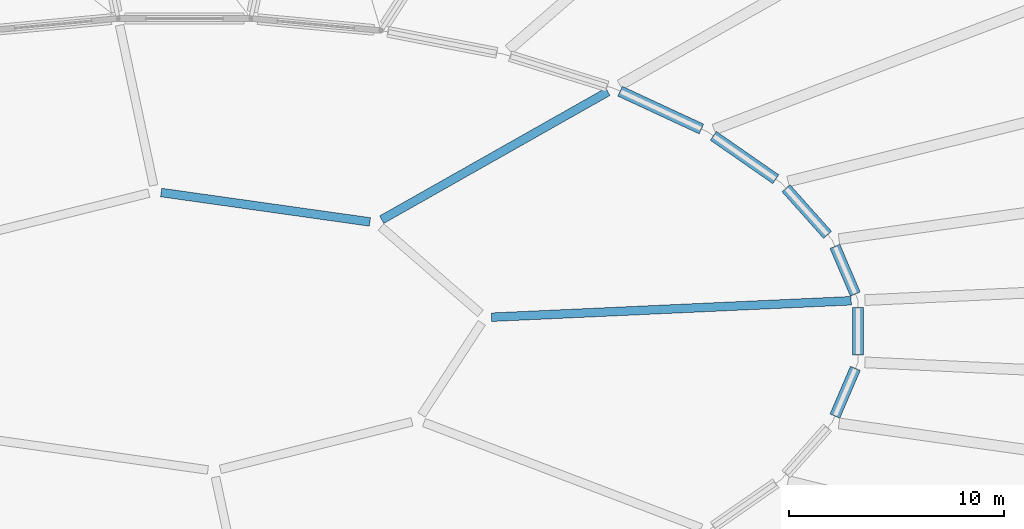
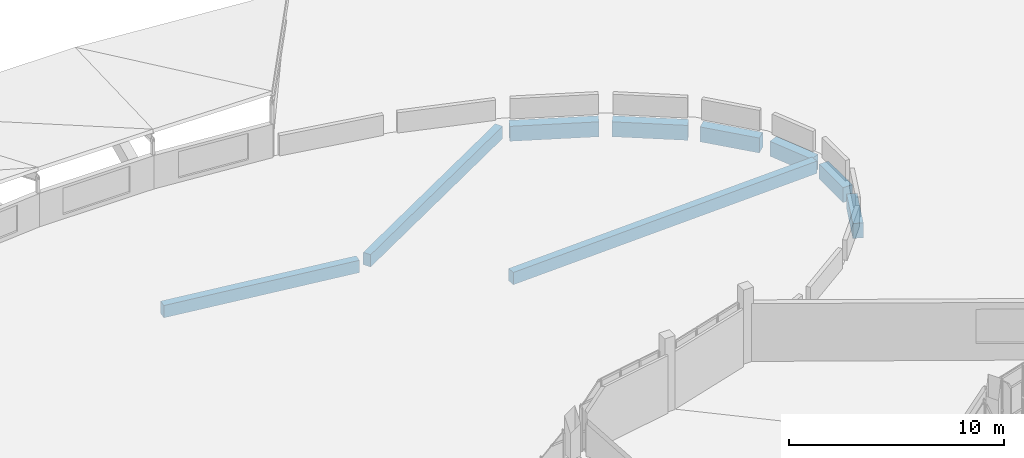
# One storey, part 46 of 142: 9 beams.
"""IFC4 building model written with IfcOpenShell, lengths in metres."""

from ifc_helpers import new_model, si_unit, direction, frame, origin, origin_2d, place, context, subcontext, project, spatial, rectangle, extrude, material, material_profile, profile_set, type_object, element, save


model = new_model("IFC4")

# Units and contexts
model_context = context("Model", 3, precision=1e-05, world=origin(), true_north=direction((0.0, 1.0)))
body_context = subcontext(model_context, "Body", "Model", "MODEL_VIEW")
ifc_project = project(units=[si_unit("LENGTHUNIT", "METRE"), si_unit("AREAUNIT", "SQUARE_METRE"), si_unit("VOLUMEUNIT", "CUBIC_METRE"), si_unit("PLANEANGLEUNIT", "RADIAN"), si_unit("MASSUNIT", "GRAM", prefix="KILO")], contexts=[model_context])

# Site, building, storey
site_placement = place(None, origin())
site = spatial("IfcSite", under=ifc_project, at=site_placement, CompositionType="ELEMENT")
building_placement = place(site_placement, origin())
building = spatial("IfcBuilding", under=site, at=building_placement, Name="Corvandel Quay Wholesale Market", CompositionType="ELEMENT")
storey_placement = place(building_placement, frame((0.0, 0.0, 10.800048828125)))
storey = spatial("IfcBuildingStorey", under=building, at=storey_placement, Name="L02", CompositionType="ELEMENT", Elevation=10.800048828125)

# Beams
ifc_material = material(Name="Precast concrete C45/55", Category="concrete")
ifc_material_profile_1 = material_profile(ifc_material, rectangle(XDim=0.5, YDim=0.85009765625, at=origin_2d()), Name="PC-GIR-500x850")
ifc_profile_set_1 = profile_set([ifc_material_profile_1], Name="Precast concrete C45/55")
beam_type_1 = type_object("IfcBeamType", Name="Fish Hall Radial Girder G04 500x850", PredefinedType="USERDEFINED", material=ifc_profile_set_1)
beam_1_placement = place(storey_placement, frame((145.23388671875, 117.72802734375, -0.7451171875), z_axis=(-0.393700153476, 0.919238918428, 0.0), x_axis=(-0.919238918428, -0.393700153476, 0.0)))
element("IfcBeam", 1, at=beam_1_placement, inside=storey, type_object=beam_type_1, Name="Beam BM-0527", ObjectType="GIRDER", PredefinedType="USERDEFINED", context=body_context, shape_type="SweptSolid", body=[
    extrude(rectangle(XDim=0.5, YDim=0.85009765625, at=origin_2d()), origin(), (0.0, 0.0, 1.0), 2.42041015625),
])
beam_2_placement = place(storey_placement, frame((143.94189453125, 120.48583984375, -0.7451171875), z_axis=(-0.665705733579, 0.746214363491, 0.0), x_axis=(-0.746214363491, -0.665705733579, 0.0)))
element("IfcBeam", 2, at=beam_2_placement, inside=storey, type_object=beam_type_1, Name="Beam BM-0534", ObjectType="GIRDER", PredefinedType="USERDEFINED", context=body_context, shape_type="SweptSolid", body=[
    extrude(rectangle(XDim=0.5, YDim=0.85009765625, at=origin_2d()), origin(), (0.0, 0.0, 1.0), 2.9111328125),
])
beam_3_placement = place(storey_placement, frame((141.5283203125, 123.07958984375, -0.7451171875), z_axis=(-0.821316990169, 0.570472086662, 0.0), x_axis=(-0.570472086662, -0.821316990169, 0.0)))
element("IfcBeam", 3, at=beam_3_placement, inside=storey, type_object=beam_type_1, Name="Beam BM-0541", ObjectType="GIRDER", PredefinedType="USERDEFINED", context=body_context, shape_type="SweptSolid", body=[
    extrude(rectangle(XDim=0.5, YDim=0.85009765625, at=origin_2d()), origin(), (0.0, 0.0, 1.0), 3.538818359375),
])
beam_4_placement = place(storey_placement, frame((138.06884765625, 125.415771484375, -0.7451171875), z_axis=(-0.907007372717, 0.42111474189, 0.0), x_axis=(-0.42111474189, -0.907007372717, 0.0)))
element("IfcBeam", 4, at=beam_4_placement, inside=storey, type_object=beam_type_1, Name="Beam BM-0548", ObjectType="GIRDER", PredefinedType="USERDEFINED", context=body_context, shape_type="SweptSolid", body=[
    extrude(rectangle(XDim=0.5, YDim=0.85009765625, at=origin_2d()), origin(), (0.0, 0.0, 1.0), 4.176025390625),
])
beam_5_placement = place(storey_placement, frame((144.281005859375, 112.047119140625, -0.7451171875), z_axis=(0.393700153476, 0.919238918428, 0.0), x_axis=(-0.919238918428, 0.393700153476, 0.0)))
element("IfcBeam", 5, at=beam_5_placement, inside=storey, type_object=beam_type_1, Name="Beam BM-0752", ObjectType="GIRDER", PredefinedType="USERDEFINED", context=body_context, shape_type="SweptSolid", body=[
    extrude(rectangle(XDim=0.5, YDim=0.85009765625, at=origin_2d()), origin(), (0.0, 0.0, 1.0), 2.42041015625),
])
beam_6_placement = place(storey_placement, frame((145.360107421875, 114.885986328125, -0.7451171875), z_axis=(0.0, 1.0, 0.0), x_axis=(-1.0, 0.0, 0.0)))
element("IfcBeam", 6, at=beam_6_placement, inside=storey, type_object=beam_type_1, Name="Beam BM-0759", ObjectType="GIRDER", PredefinedType="USERDEFINED", context=body_context, shape_type="SweptSolid", body=[
    extrude(rectangle(XDim=0.5, YDim=0.85009765625, at=origin_2d()), origin(), (0.0, 0.0, 1.0), 2.22802734375),
])
ifc_material_profile_2 = material_profile(ifc_material, rectangle(XDim=0.39990234375, YDim=0.699951171875, at=origin_2d()), Name="PC-GIR-400x700")
ifc_profile_set_2 = profile_set([ifc_material_profile_2], Name="Precast concrete C45/55")
beam_type_2 = type_object("IfcBeamType", Name="Roof Deck Primary Girder G07 400x700", PredefinedType="USERDEFINED", material=ifc_profile_set_2)
beam_7_placement = place(storey_placement, frame((145.040283203125, 117.41943359375, -0.550048828125), z_axis=(-0.998955768559, -0.045687771482, 0.0), x_axis=(0.045687771482, -0.998955768559, 0.0)))
element("IfcBeam", 7, at=beam_7_placement, inside=storey, type_object=beam_type_2, Name="Beam BM-0493", ObjectType="GIRDER", PredefinedType="USERDEFINED", context=body_context, shape_type="SweptSolid", body=[
    extrude(rectangle(XDim=0.39990234375, YDim=0.699951171875, at=origin_2d()), origin(), (0.0, 0.0, 1.0), 16.76318359375),
])
beam_8_placement = place(storey_placement, frame((122.6318359375, 121.090087890625, -0.550048828125), z_axis=(-0.990225682533, 0.139474361987, 0.0), x_axis=(-0.139474361987, -0.990225682533, 0.0)))
element("IfcBeam", 8, at=beam_8_placement, inside=storey, type_object=beam_type_2, Name="Beam BM-0496", ObjectType="GIRDER", PredefinedType="USERDEFINED", context=body_context, shape_type="SweptSolid", body=[
    extrude(rectangle(XDim=0.39990234375, YDim=0.699951171875, at=origin_2d()), origin(), (0.0, 0.0, 1.0), 9.814697265625),
])
beam_9_placement = place(storey_placement, frame((133.71240234375, 127.151611328125, -0.550048828125), z_axis=(-0.870388039185, -0.49236638923, 0.0), x_axis=(0.49236638923, -0.870388039185, 0.0)))
element("IfcBeam", 9, at=beam_9_placement, inside=storey, type_object=beam_type_2, Name="Beam BM-0497", ObjectType="GIRDER", PredefinedType="USERDEFINED", context=body_context, shape_type="SweptSolid", body=[
    extrude(rectangle(XDim=0.39990234375, YDim=0.699951171875, at=origin_2d()), origin(), (0.0, 0.0, 1.0), 12.099853515625),
])

save(model, "model.ifc")
